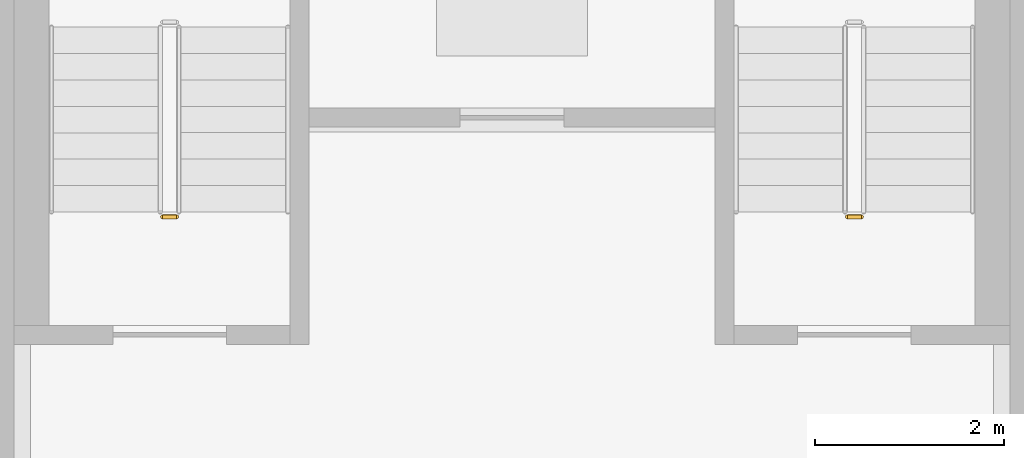
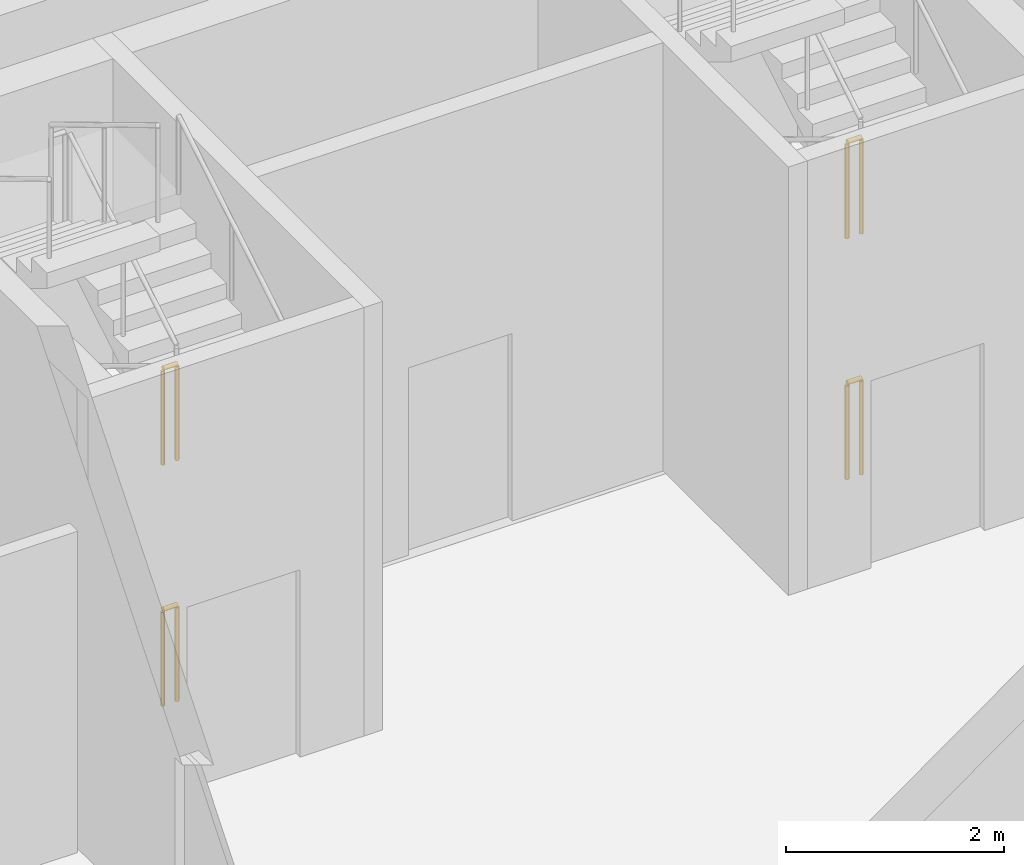
# One storey, part 78 of 101: 4 railings.
"""IFC4 building model written with IfcOpenShell, lengths in metres."""

from ifc_helpers import new_model, si_unit, direction, frame, origin, origin_2d, place, context, subcontext, project, spatial, circle, extrude, material, type_object, element, save


model = new_model("IFC4")

# Units and contexts
model_context = context("Model", 3, precision=1e-05, world=origin(), true_north=direction((0.0, 1.0)))
body_context = subcontext(model_context, "Body", "Model", "MODEL_VIEW")
ifc_project = project(units=[si_unit("LENGTHUNIT", "METRE"), si_unit("AREAUNIT", "SQUARE_METRE"), si_unit("VOLUMEUNIT", "CUBIC_METRE"), si_unit("PLANEANGLEUNIT", "RADIAN"), si_unit("MASSUNIT", "GRAM", prefix="KILO")], contexts=[model_context])

# Site, building, storey
site_placement = place(None, origin())
site = spatial("IfcSite", under=ifc_project, at=site_placement, CompositionType="ELEMENT")
building_placement = place(site_placement, origin())
building = spatial("IfcBuilding", under=site, at=building_placement, Name="Magnolia Steps Interchange", CompositionType="ELEMENT")
storey_placement = place(building_placement, frame((0.0, 0.0, -5.39990234375)))
storey = spatial("IfcBuildingStorey", under=building, at=storey_placement, Name="B1", CompositionType="ELEMENT", Elevation=-5.39990234375)

# Railings
ifc_material = material(Name="Stainless steel grade 304", Category="steel")
railing_type = type_object("IfcRailingType", Name="Stair guard 1100", PredefinedType="GUARDRAIL", material=ifc_material)
for number, where, name in (
    (1, (44.25, 38.64990234375, 2.699951171875), "B1 ST17 stair guard 4"),
    (2, (44.25, 38.64990234375, 0.0), "B1 ST17 stair guard 8"),
    (3, (51.5, 38.64990234375, 2.699951171875), "B1 ST18 stair guard 4"),
    (4, (51.5, 38.64990234375, 0.0), "B1 ST18 stair guard 8"),
):
    element("IfcRailing", number, at=place(storey_placement, frame(where)), inside=storey, type_object=railing_type, Name=name, PredefinedType="GUARDRAIL", context=body_context, shape_type="SweptSolid", body=[
        extrude(circle(Radius=0.02392578125, at=origin_2d()), frame((0.0, 0.0, 1.076171875), z_axis=(-1.0, 0.0, 0.0), x_axis=(0.0, -1.0, 0.0)), (0.0, 0.0, 1.0), 0.14990234375),
        extrude(circle(Radius=0.02099609375, at=origin_2d()), origin(), (0.0, 0.0, 1.0), 1.052001953125),
        extrude(circle(Radius=0.02099609375, at=origin_2d()), frame((-0.14990234375, 0.0, 0.0)), (0.0, 0.0, 1.0), 1.052001953125),
    ])

save(model, "model.ifc")
